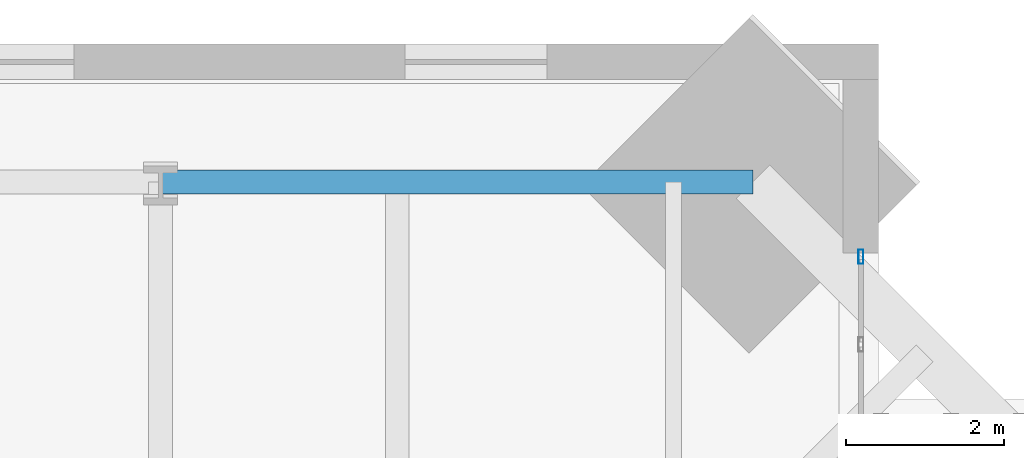
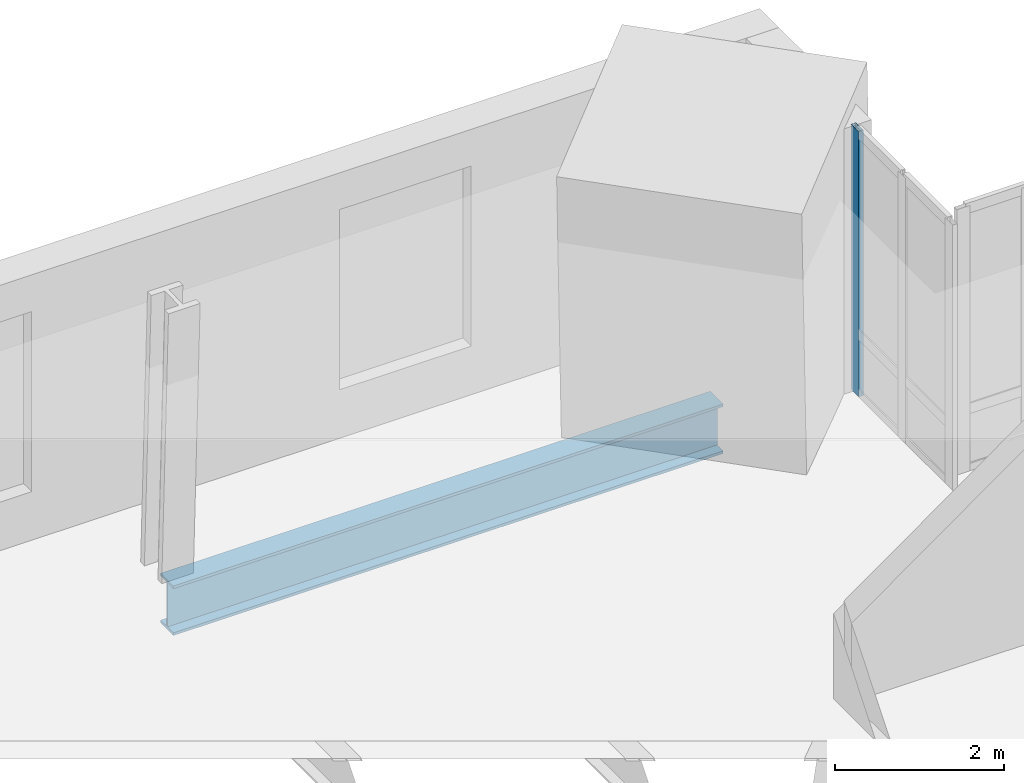
# One storey, part 9 of 16: 1 beam, 1 member, 1 element without a shape of its own.
"""IFC4 building model written with IfcOpenShell, lengths in metres."""

from ifc_helpers import new_model, si_unit, direction, frame, origin, origin_2d, place, context, subcontext, project, spatial, hollow_rectangle, i_section, extrude, material, material_profile, profile_set, type_object, element, aggregate, save


model = new_model("IFC4")

# Units and contexts
model_context = context("Model", 3, precision=1e-05, world=origin(), true_north=direction((0.0, 1.0)))
body_context = subcontext(model_context, "Body", "Model", "MODEL_VIEW")
ifc_project = project(units=[si_unit("LENGTHUNIT", "METRE"), si_unit("AREAUNIT", "SQUARE_METRE"), si_unit("VOLUMEUNIT", "CUBIC_METRE"), si_unit("PLANEANGLEUNIT", "RADIAN"), si_unit("MASSUNIT", "GRAM", prefix="KILO")], contexts=[model_context])

# Site, building, storey
site_placement = place(None, origin())
site = spatial("IfcSite", under=ifc_project, at=site_placement, CompositionType="ELEMENT")
building_placement = place(site_placement, origin())
building = spatial("IfcBuilding", under=site, at=building_placement, Name="Peilmerk Tower", CompositionType="ELEMENT")
storey_placement = place(building_placement, frame((0.0, 0.0, 273.800048828125)))
storey = spatial("IfcBuildingStorey", under=building, at=storey_placement, Name="L61", CompositionType="ELEMENT", Elevation=273.800048828125)

# Beam
ifc_material_1 = material(Name="Steel S355", Category="steel")
ifc_material_profile_1 = material_profile(ifc_material_1, i_section(OverallWidth=0.303955078125, OverallDepth=0.716064453125, WebThickness=0.02099609375, FlangeThickness=0.0400390625, at=origin_2d()), Name="HEM 700")
ifc_profile_set_1 = profile_set([ifc_material_profile_1], Name="Steel S355")
beam_type = type_object("IfcBeamType", Name="B30 HEM 700 edge beam", PredefinedType="SPANDREL", material=ifc_profile_set_1)
beam_placement = place(storey_placement, frame((15.50634765625, 19.8564453125, -0.528076171875), z_axis=(-1.0, 0.0, 0.0), x_axis=(0.0, -1.0, 0.0)))
element("IfcBeam", 1, at=beam_placement, inside=storey, type_object=beam_type, Name="Edge beam L61", PredefinedType="SPANDREL", context=body_context, shape_type="SweptSolid", body=[
    extrude(i_section(OverallWidth=0.303955078125, OverallDepth=0.716064453125, WebThickness=0.02099609375, FlangeThickness=0.0400390625, at=origin_2d()), origin(), (0.0, 0.0, 1.0), 7.50634765625),
])

# Curtain wall, member
ifc_material_2 = material(Name="Aluminium stick curtain wall", Category="aluminium")
curtain_wall_type = type_object("IfcCurtainWallType", Name="CW4 stick curtain wall, 2250 module", PredefinedType="NOTDEFINED", material=ifc_material_2)
curtain_wall_placement = place(storey_placement, origin())
curtain_wall = element("IfcCurtainWall", 2, at=curtain_wall_placement, inside=storey, type_object=curtain_wall_type, Name="Curtain wall CW4 NEA L61", PredefinedType="NOTDEFINED")
ifc_material_3 = material(Name="Aluminium EN AW-6063 T6", Category="aluminium")
ifc_material_profile_2 = material_profile(ifc_material_3, hollow_rectangle(XDim=0.06494140625, YDim=0.179931640625, WallThickness=0.0029296875, at=origin_2d()), Name="AL 180x65x3")
ifc_profile_set_2 = profile_set([ifc_material_profile_2], Name="Aluminium EN AW-6063 T6")
member_type = type_object("IfcMemberType", Name="CW4-M AL 180x65x3 mullion", PredefinedType="MULLION", material=ifc_profile_set_2)
member_placement = place(storey_placement, frame((16.875, 18.90625, 0.0), z_axis=(0.0, 0.0, 1.0), x_axis=(-1.0, 0.0, 0.0)))
member = element("IfcMember", 3, at=member_placement, type_object=member_type, Name="CW4 mullion 3", PredefinedType="MULLION", context=body_context, shape_type="SweptSolid", body=[
    extrude(hollow_rectangle(XDim=0.06494140625, YDim=0.179931640625, WallThickness=0.0029296875, at=origin_2d()), origin(), (0.0, 0.0, 1.0), 3.829833984375),
])
aggregate(curtain_wall, [member])

save(model, "model.ifc")
